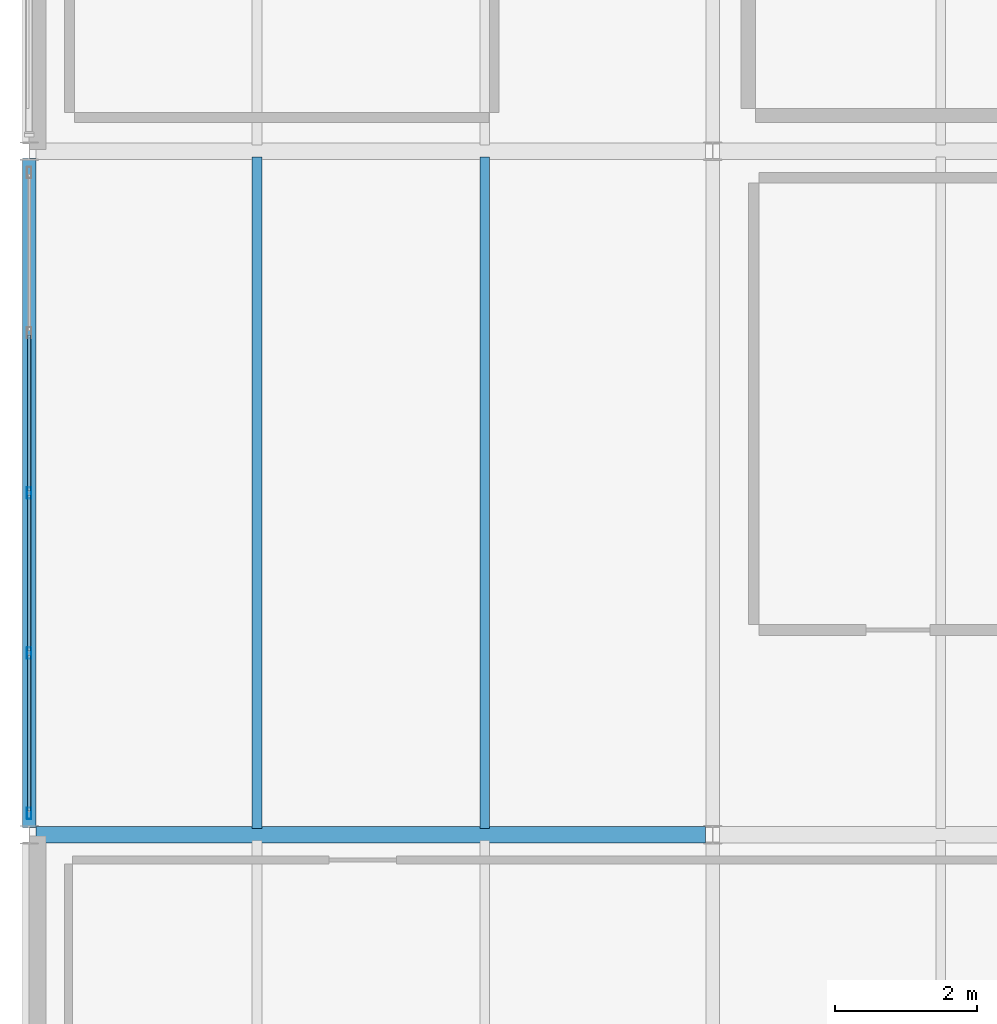
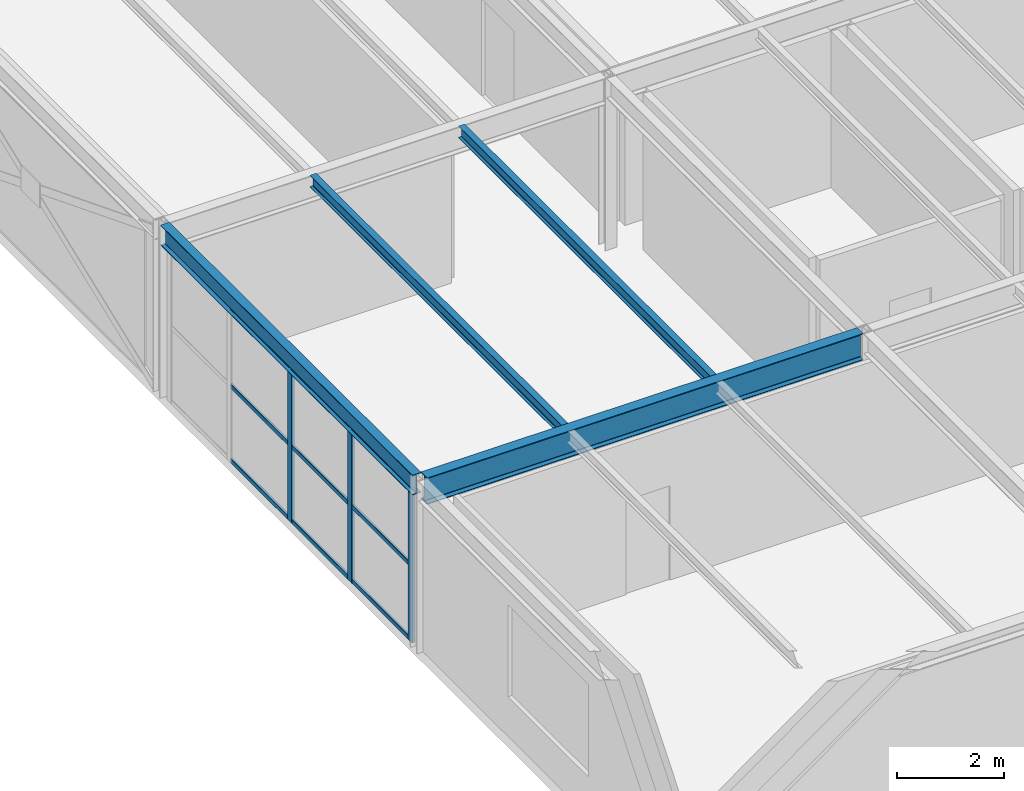
# One storey, part 7 of 33: 12 members, 4 beams, 1 element without a shape of its own.
"""IFC4 building model written with IfcOpenShell, lengths in metres."""

from ifc_helpers import new_model, si_unit, direction, frame, origin, origin_2d, place, context, subcontext, project, spatial, hollow_rectangle, i_section, extrude, material, material_profile, profile_set, type_object, element, aggregate, save


model = new_model("IFC4")

# Units and contexts
model_context = context("Model", 3, precision=1e-05, world=origin(), true_north=direction((0.0, 1.0)))
body_context = subcontext(model_context, "Body", "Model", "MODEL_VIEW")
ifc_project = project(units=[si_unit("LENGTHUNIT", "METRE"), si_unit("AREAUNIT", "SQUARE_METRE"), si_unit("VOLUMEUNIT", "CUBIC_METRE"), si_unit("PLANEANGLEUNIT", "RADIAN"), si_unit("MASSUNIT", "GRAM", prefix="KILO")], contexts=[model_context])

# Site, building, storey
site_placement = place(None, origin())
site = spatial("IfcSite", under=ifc_project, at=site_placement, CompositionType="ELEMENT")
building_placement = place(site_placement, origin())
building = spatial("IfcBuilding", under=site, at=building_placement, Name="Coralgate Yard Interchange", CompositionType="ELEMENT")
storey_placement = place(building_placement, frame((0.0, 0.0, 23.10009765625)))
storey = spatial("IfcBuildingStorey", under=building, at=storey_placement, Name="L05", CompositionType="ELEMENT", Elevation=23.10009765625)

# Beams
ifc_material_1 = material(Name="Structural steel S355J2", Category="steel")
ifc_material_profile_1 = material_profile(ifc_material_1, i_section(OverallWidth=0.1904296875, OverallDepth=0.45703125, WebThickness=0.009033203125, FlangeThickness=0.014404296875, FilletRadius=0.01025390625, at=origin_2d()), Name="UB 457x191x74")
ifc_profile_set_1 = profile_set([ifc_material_profile_1], Name="Structural steel S355J2")
beam_type_1 = type_object("IfcBeamType", Name="BM-SB-2", PredefinedType="BEAM", material=ifc_profile_set_1)
beam_1_placement = place(storey_placement, frame((0.0, 9.7001953125, 3.69140625), z_axis=(0.0, 1.0, 0.0), x_axis=(-1.0, 0.0, 0.0)))
element("IfcBeam", 1, at=beam_1_placement, inside=storey, type_object=beam_type_1, Name="L05 primary grid girder X0 Y1-2", PredefinedType="BEAM", context=body_context, shape_type="SweptSolid", body=[
    extrude(i_section(OverallWidth=0.1904296875, OverallDepth=0.45703125, WebThickness=0.009033203125, FlangeThickness=0.014404296875, FilletRadius=0.01025390625, at=origin_2d()), origin(), (0.0, 0.0, 1.0), 9.399658203125),
])
ifc_material_profile_2 = material_profile(ifc_material_1, i_section(OverallWidth=0.228271484375, OverallDepth=0.607666015625, WebThickness=0.010986328125, FlangeThickness=0.017333984375, FilletRadius=0.0126953125, at=origin_2d()), Name="UB 610x229x113")
ifc_profile_set_2 = profile_set([ifc_material_profile_2], Name="Structural steel S355J2")
beam_type_2 = type_object("IfcBeamType", Name="BM-SG-5", PredefinedType="BEAM", material=ifc_profile_set_2)
beam_2_placement = place(storey_placement, frame((0.09814453125, 9.60009765625, 3.6162109375), z_axis=(1.0, 0.0, 0.0), x_axis=(0.0, 1.0, 0.0)))
element("IfcBeam", 2, at=beam_2_placement, inside=storey, type_object=beam_type_2, Name="L05 primary grid beam Y1 X0-1", PredefinedType="BEAM", context=body_context, shape_type="SweptSolid", body=[
    extrude(i_section(OverallWidth=0.228271484375, OverallDepth=0.607666015625, WebThickness=0.010986328125, FlangeThickness=0.017333984375, FilletRadius=0.0126953125, at=origin_2d()), origin(), (0.0, 0.0, 1.0), 9.403564453125),
])
ifc_material_profile_3 = material_profile(ifc_material_1, i_section(OverallWidth=0.135009765625, OverallDepth=0.27001953125, WebThickness=0.006591796875, FlangeThickness=0.01025390625, FilletRadius=0.014892578125, at=origin_2d()), Name="IPE 270")
ifc_profile_set_3 = profile_set([ifc_material_profile_3], Name="Structural steel S355J2")
beam_type_3 = type_object("IfcBeamType", Name="BM-SJ-3", PredefinedType="JOIST", material=ifc_profile_set_3)
for number, where, z_axis, x_axis, name in (
    (3, (3.199951171875, 9.68408203125, 3.784912109375), (0.0, 1.0, 0.0), (-1.0, 0.0, 0.0), "L05 composite floor joist 0-1-1"),
    (4, (6.39990234375, 9.68408203125, 3.784912109375), (0.0, 1.0, 0.0), (-1.0, 0.0, 0.0), "L05 composite floor joist 0-1-2"),
):
    element("IfcBeam", number, at=place(storey_placement, frame(where, z_axis=z_axis, x_axis=x_axis)), inside=storey, type_object=beam_type_3, Name=name, PredefinedType="JOIST", context=body_context, shape_type="SweptSolid", body=[
        extrude(i_section(OverallWidth=0.135009765625, OverallDepth=0.27001953125, WebThickness=0.006591796875, FlangeThickness=0.01025390625, FilletRadius=0.014892578125, at=origin_2d()), origin(), (0.0, 0.0, 1.0), 9.431884765625),
    ])

# Curtain wall, members
ifc_material_2 = material(Name="Anodised coastal aluminium and solar-control low-E glass", Category="aluminium")
curtain_wall_type = type_object("IfcCurtainWallType", Name="CW-CW-L05-A", PredefinedType="NOTDEFINED", material=ifc_material_2)
curtain_wall_placement = place(storey_placement, origin())
curtain_wall = element("IfcCurtainWall", 5, at=curtain_wall_placement, inside=storey, type_object=curtain_wall_type, Name="L05 unitised curtain wall CW-L05-W-00-01", PredefinedType="NOTDEFINED")
ifc_material_3 = material(Name="Anodised coastal aluminium 6063-T6", Category="aluminium")
ifc_material_profile_4 = material_profile(ifc_material_3, hollow_rectangle(XDim=0.06494140625, YDim=0.159912109375, WallThickness=0.00390625, InnerFilletRadius=0.00390625, OuterFilletRadius=0.008056640625, at=origin_2d()), Name="ALU 65x160x4")
ifc_profile_set_4 = profile_set([ifc_material_profile_4], Name="Anodised coastal aluminium 6063-T6")
member_type_1 = type_object("IfcMemberType", Name="MB-MUL-160", PredefinedType="MULLION", material=ifc_profile_set_4)
member_1_placement = place(storey_placement, frame((0.0, 9.89990234375, 0.0), z_axis=(0.0, 0.0, 1.0), x_axis=(1.0, 0.0, 0.0)))
member_1 = element("IfcMember", 6, at=member_1_placement, type_object=member_type_1, Name="CW-L05-W-00-01 vertical mullion 1", PredefinedType="MULLION", context=body_context, shape_type="SweptSolid", body=[
    extrude(hollow_rectangle(XDim=0.06494140625, YDim=0.159912109375, WallThickness=0.00390625, InnerFilletRadius=0.00390625, OuterFilletRadius=0.008056640625, at=origin_2d()), origin(), (0.0, 0.0, 1.0), 3.462890625),
])
member_2_placement = place(storey_placement, frame((0.0, 12.14990234375, 0.0), z_axis=(0.0, 0.0, 1.0), x_axis=(1.0, 0.0, 0.0)))
member_2 = element("IfcMember", 7, at=member_2_placement, type_object=member_type_1, Name="CW-L05-W-00-01 vertical mullion 2", PredefinedType="MULLION", context=body_context, shape_type="SweptSolid", body=[
    extrude(hollow_rectangle(XDim=0.06494140625, YDim=0.159912109375, WallThickness=0.00390625, InnerFilletRadius=0.00390625, OuterFilletRadius=0.008056640625, at=origin_2d()), origin(), (0.0, 0.0, 1.0), 3.462890625),
])
member_3_placement = place(storey_placement, frame((0.0, 14.39990234375, 0.0), z_axis=(0.0, 0.0, 1.0), x_axis=(1.0, 0.0, 0.0)))
member_3 = element("IfcMember", 8, at=member_3_placement, type_object=member_type_1, Name="CW-L05-W-00-01 vertical mullion 3", PredefinedType="MULLION", context=body_context, shape_type="SweptSolid", body=[
    extrude(hollow_rectangle(XDim=0.06494140625, YDim=0.159912109375, WallThickness=0.00390625, InnerFilletRadius=0.00390625, OuterFilletRadius=0.008056640625, at=origin_2d()), origin(), (0.0, 0.0, 1.0), 3.462890625),
])
ifc_material_profile_5 = material_profile(ifc_material_3, hollow_rectangle(XDim=0.050048828125, YDim=0.10009765625, WallThickness=0.0029296875, InnerFilletRadius=0.0029296875, OuterFilletRadius=0.006103515625, at=origin_2d()), Name="ALU 50x100x3")
ifc_profile_set_5 = profile_set([ifc_material_profile_5], Name="Anodised coastal aluminium 6063-T6")
member_type_2 = type_object("IfcMemberType", Name="MB-TRN-100", PredefinedType="USERDEFINED", material=ifc_profile_set_5)
member_4_placement = place(storey_placement, frame((0.0, 9.929931640625, 0.034912109375), z_axis=(0.0, 1.0, 0.0), x_axis=(-1.0, 0.0, 0.0)))
member_4 = element("IfcMember", 9, at=member_4_placement, type_object=member_type_2, Name="CW-L05-W-00-01 horizontal transom 1-1", ObjectType="TRANSOM", PredefinedType="USERDEFINED", context=body_context, shape_type="SweptSolid", body=[
    extrude(hollow_rectangle(XDim=0.050048828125, YDim=0.10009765625, WallThickness=0.0029296875, InnerFilletRadius=0.0029296875, OuterFilletRadius=0.006103515625, at=origin_2d()), origin(), (0.0, 0.0, 1.0), 2.190185546875),
])
member_5_placement = place(storey_placement, frame((0.0, 9.929931640625, 1.7314453125), z_axis=(0.0, 1.0, 0.0), x_axis=(-1.0, 0.0, 0.0)))
member_5 = element("IfcMember", 10, at=member_5_placement, type_object=member_type_2, Name="CW-L05-W-00-01 horizontal transom 1-2", ObjectType="TRANSOM", PredefinedType="USERDEFINED", context=body_context, shape_type="SweptSolid", body=[
    extrude(hollow_rectangle(XDim=0.050048828125, YDim=0.10009765625, WallThickness=0.0029296875, InnerFilletRadius=0.0029296875, OuterFilletRadius=0.006103515625, at=origin_2d()), origin(), (0.0, 0.0, 1.0), 2.190185546875),
])
member_6_placement = place(storey_placement, frame((0.0, 9.929931640625, 3.427978515625), z_axis=(0.0, 1.0, 0.0), x_axis=(-1.0, 0.0, 0.0)))
member_6 = element("IfcMember", 11, at=member_6_placement, type_object=member_type_2, Name="CW-L05-W-00-01 horizontal transom 1-3", ObjectType="TRANSOM", PredefinedType="USERDEFINED", context=body_context, shape_type="SweptSolid", body=[
    extrude(hollow_rectangle(XDim=0.050048828125, YDim=0.10009765625, WallThickness=0.0029296875, InnerFilletRadius=0.0029296875, OuterFilletRadius=0.006103515625, at=origin_2d()), origin(), (0.0, 0.0, 1.0), 2.190185546875),
])
member_7_placement = place(storey_placement, frame((0.0, 12.179931640625, 0.034912109375), z_axis=(0.0, 1.0, 0.0), x_axis=(-1.0, 0.0, 0.0)))
member_7 = element("IfcMember", 12, at=member_7_placement, type_object=member_type_2, Name="CW-L05-W-00-01 horizontal transom 2-1", ObjectType="TRANSOM", PredefinedType="USERDEFINED", context=body_context, shape_type="SweptSolid", body=[
    extrude(hollow_rectangle(XDim=0.050048828125, YDim=0.10009765625, WallThickness=0.0029296875, InnerFilletRadius=0.0029296875, OuterFilletRadius=0.006103515625, at=origin_2d()), origin(), (0.0, 0.0, 1.0), 2.190185546875),
])
member_8_placement = place(storey_placement, frame((0.0, 12.179931640625, 1.7314453125), z_axis=(0.0, 1.0, 0.0), x_axis=(-1.0, 0.0, 0.0)))
member_8 = element("IfcMember", 13, at=member_8_placement, type_object=member_type_2, Name="CW-L05-W-00-01 horizontal transom 2-2", ObjectType="TRANSOM", PredefinedType="USERDEFINED", context=body_context, shape_type="SweptSolid", body=[
    extrude(hollow_rectangle(XDim=0.050048828125, YDim=0.10009765625, WallThickness=0.0029296875, InnerFilletRadius=0.0029296875, OuterFilletRadius=0.006103515625, at=origin_2d()), origin(), (0.0, 0.0, 1.0), 2.190185546875),
])
member_9_placement = place(storey_placement, frame((0.0, 12.179931640625, 3.427978515625), z_axis=(0.0, 1.0, 0.0), x_axis=(-1.0, 0.0, 0.0)))
member_9 = element("IfcMember", 14, at=member_9_placement, type_object=member_type_2, Name="CW-L05-W-00-01 horizontal transom 2-3", ObjectType="TRANSOM", PredefinedType="USERDEFINED", context=body_context, shape_type="SweptSolid", body=[
    extrude(hollow_rectangle(XDim=0.050048828125, YDim=0.10009765625, WallThickness=0.0029296875, InnerFilletRadius=0.0029296875, OuterFilletRadius=0.006103515625, at=origin_2d()), origin(), (0.0, 0.0, 1.0), 2.190185546875),
])
member_10_placement = place(storey_placement, frame((0.0, 14.429931640625, 0.034912109375), z_axis=(0.0, 1.0, 0.0), x_axis=(-1.0, 0.0, 0.0)))
member_10 = element("IfcMember", 15, at=member_10_placement, type_object=member_type_2, Name="CW-L05-W-00-01 horizontal transom 3-1", ObjectType="TRANSOM", PredefinedType="USERDEFINED", context=body_context, shape_type="SweptSolid", body=[
    extrude(hollow_rectangle(XDim=0.050048828125, YDim=0.10009765625, WallThickness=0.0029296875, InnerFilletRadius=0.0029296875, OuterFilletRadius=0.006103515625, at=origin_2d()), origin(), (0.0, 0.0, 1.0), 2.190185546875),
])
member_11_placement = place(storey_placement, frame((0.0, 14.429931640625, 1.7314453125), z_axis=(0.0, 1.0, 0.0), x_axis=(-1.0, 0.0, 0.0)))
member_11 = element("IfcMember", 16, at=member_11_placement, type_object=member_type_2, Name="CW-L05-W-00-01 horizontal transom 3-2", ObjectType="TRANSOM", PredefinedType="USERDEFINED", context=body_context, shape_type="SweptSolid", body=[
    extrude(hollow_rectangle(XDim=0.050048828125, YDim=0.10009765625, WallThickness=0.0029296875, InnerFilletRadius=0.0029296875, OuterFilletRadius=0.006103515625, at=origin_2d()), origin(), (0.0, 0.0, 1.0), 2.190185546875),
])
member_12_placement = place(storey_placement, frame((0.0, 14.429931640625, 3.427978515625), z_axis=(0.0, 1.0, 0.0), x_axis=(-1.0, 0.0, 0.0)))
member_12 = element("IfcMember", 17, at=member_12_placement, type_object=member_type_2, Name="CW-L05-W-00-01 horizontal transom 3-3", ObjectType="TRANSOM", PredefinedType="USERDEFINED", context=body_context, shape_type="SweptSolid", body=[
    extrude(hollow_rectangle(XDim=0.050048828125, YDim=0.10009765625, WallThickness=0.0029296875, InnerFilletRadius=0.0029296875, OuterFilletRadius=0.006103515625, at=origin_2d()), origin(), (0.0, 0.0, 1.0), 2.190185546875),
])
aggregate(curtain_wall, [member_1, member_2, member_3, member_4, member_5, member_6, member_7, member_8, member_9, member_10, member_11, member_12])

save(model, "model.ifc")
